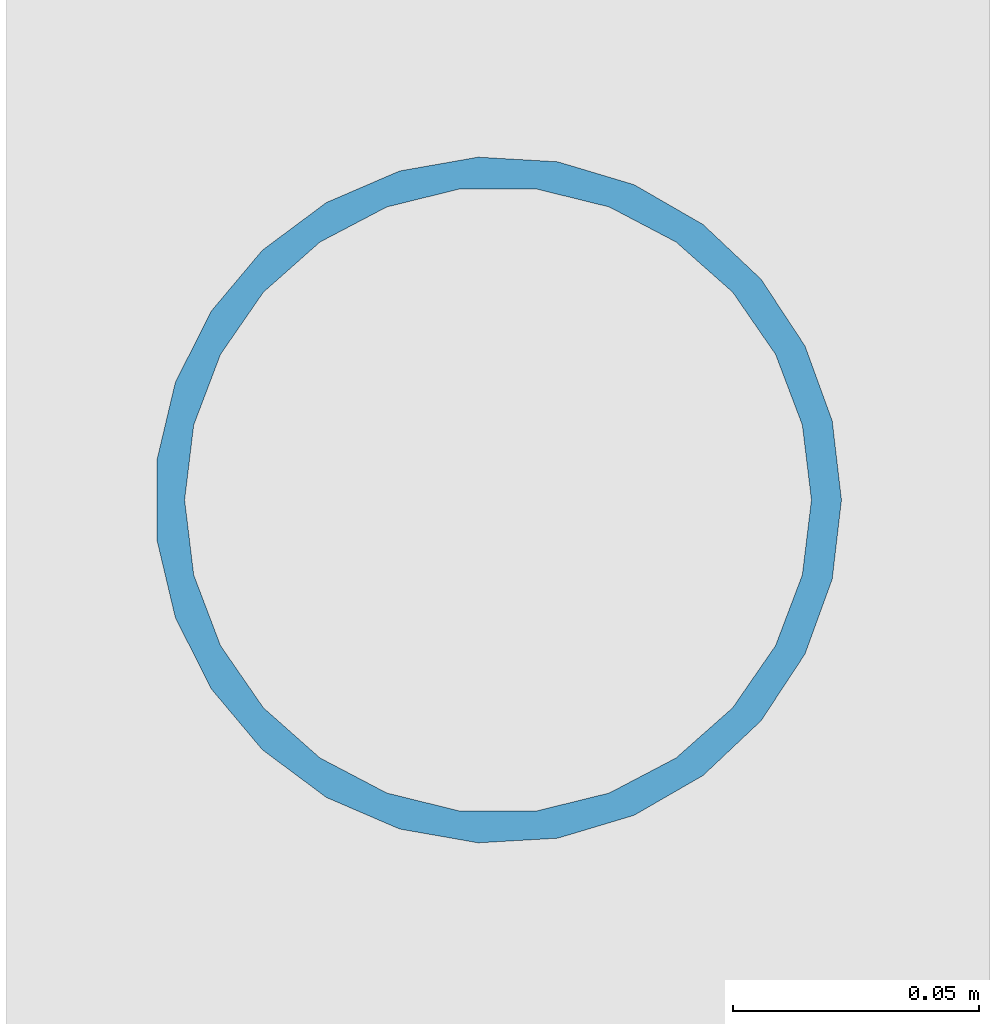
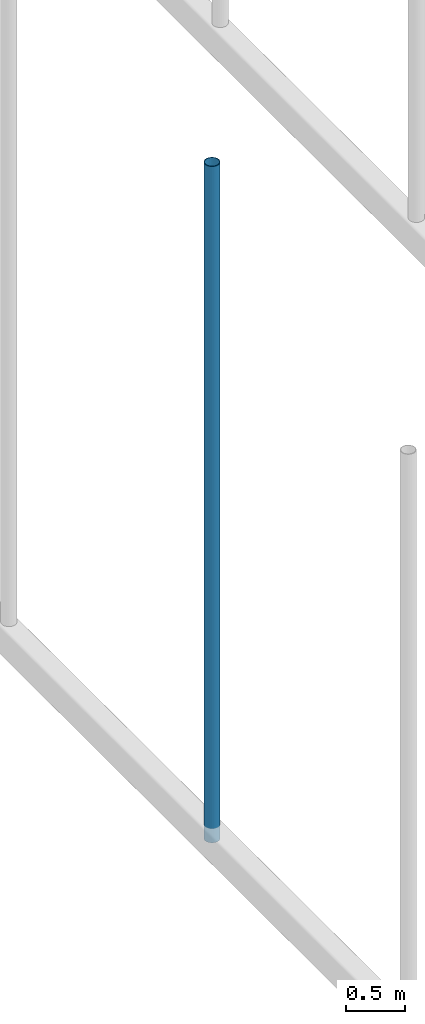
# One storey, part 26 of 63: 1 member.
"""IFC4 building model written with IfcOpenShell, lengths in metres."""

from ifc_helpers import new_model, si_unit, direction, frame, origin, origin_2d, place, context, subcontext, project, spatial, hollow_circle, extrude, material, material_profile, profile_set, type_object, element, save


model = new_model("IFC4")

# Units and contexts
model_context = context("Model", 3, precision=1e-05, world=origin(), true_north=direction((0.0, 1.0)))
body_context = subcontext(model_context, "Body", "Model", "MODEL_VIEW")
ifc_project = project(units=[si_unit("LENGTHUNIT", "METRE"), si_unit("AREAUNIT", "SQUARE_METRE"), si_unit("VOLUMEUNIT", "CUBIC_METRE"), si_unit("PLANEANGLEUNIT", "RADIAN"), si_unit("MASSUNIT", "GRAM", prefix="KILO")], contexts=[model_context])

# Site, building, storey
site_placement = place(None, origin())
site = spatial("IfcSite", under=ifc_project, at=site_placement, CompositionType="ELEMENT")
building_placement = place(site_placement, origin())
building = spatial("IfcBuilding", under=site, at=building_placement, Name="Varnakota Square Police Headquarters", CompositionType="ELEMENT")
storey_placement = place(building_placement, frame((0.0, 0.0, 22.199951171875)))
storey = spatial("IfcBuildingStorey", under=building, at=storey_placement, Name="L05", CompositionType="ELEMENT", Elevation=22.199951171875)

# Member
ifc_material = material(Name="Steel IS 2062 Grade 350", Category="steel")
ifc_material_profile = material_profile(ifc_material, hollow_circle(Radius=0.06982421875, WallThickness=0.006103515625, at=origin_2d()), Name="CHS 139.7x6.0")
ifc_profile_set = profile_set([ifc_material_profile], Name="Steel IS 2062 Grade 350")
member_type = type_object("IfcMemberType", Name="MEM-HNG-CHS139", PredefinedType="STRUT", material=ifc_profile_set)
member_placement = place(storey_placement, frame((72.0, 80.54248046875, -0.14990234375), z_axis=(0.0, 0.0, 1.0), x_axis=(1.0, 0.0, 0.0)))
element("IfcMember", 1, at=member_placement, inside=storey, type_object=member_type, Name="Barrel vault hanger strut V2-R03-N4", PredefinedType="STRUT", context=body_context, shape_type="SweptSolid", body=[
    extrude(hollow_circle(Radius=0.06982421875, WallThickness=0.006103515625, at=origin_2d()), origin(), (0.0, 0.0, 1.0), 7.02490234375),
])

save(model, "model.ifc")
